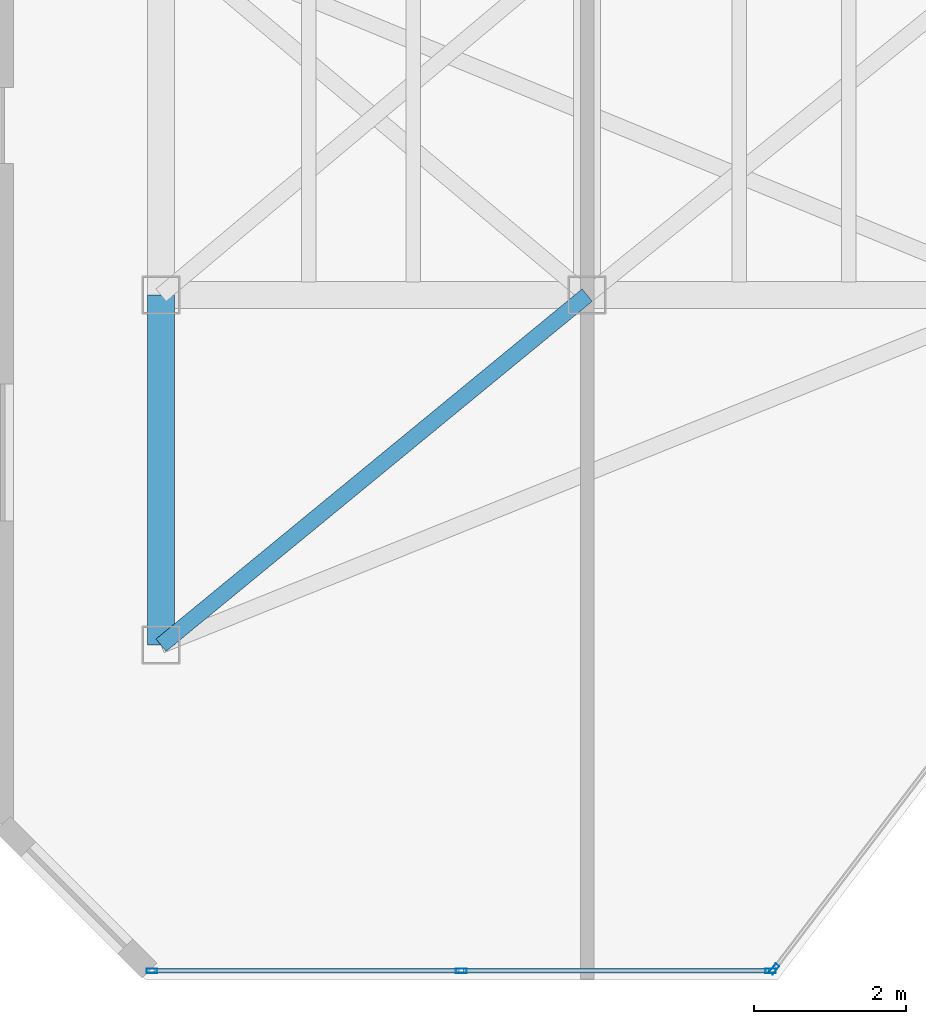
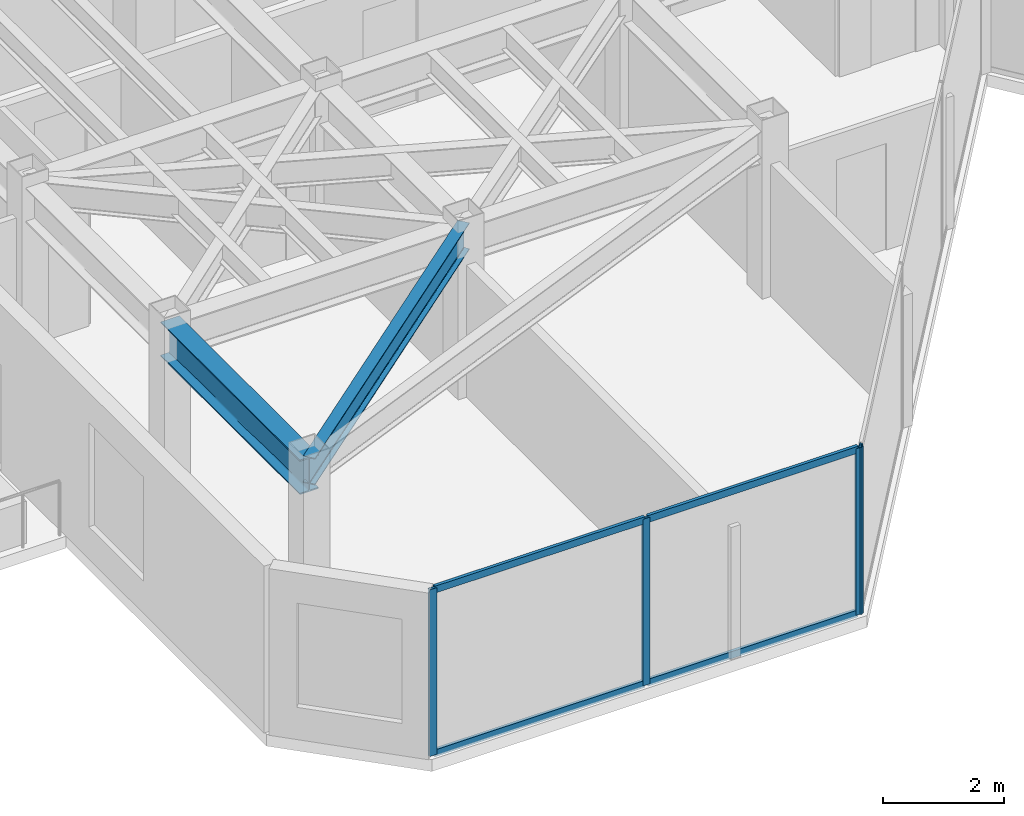
# One storey, part 2 of 17: 8 members, 2 beams, 2 elements without a shape of their own.
"""IFC4 building model written with IfcOpenShell, lengths in metres."""

import ifcopenshell
import ifcopenshell.guid

model = None  # the IFC model being written
_history = None  # IfcOwnerHistory: only IFC2X3 demands one
_inside = {}  # id of a spatial element -> (the spatial element, [elements in it])
_under = {}  # id of a project, library or spatial element -> (it, [spatial elements below it])
_declared = {}  # id of a project -> (the project, [libraries it declares])
_typed = {}  # id of a type object -> (the type object, [elements of that type])
_made_of = {}  # id of a material, layer set ... -> (it, [elements and type objects made of it])


def new_model(schema):
    """Start an empty IFC model of exactly this schema.

    Asked for "IFC4X3", IfcOpenShell would pick the latest addendum, in which some entities
    have other attributes; the version numbers below select the first issue.
    IFC2X3 requires an IfcOwnerHistory on every rooted entity: one is made here for all.
    """
    global model, _history
    if schema == "IFC4X3":
        model = ifcopenshell.file(schema_version=(4, 3, 0, 0))
    else:
        model = ifcopenshell.file(schema=schema)
    _inside.clear()
    _under.clear()
    _declared.clear()
    _typed.clear()
    _made_of.clear()
    _history = None
    if model.schema == "IFC2X3":
        org = make("IfcOrganization", Name="unknown")
        user = make(
            "IfcPersonAndOrganization",
            ThePerson=make("IfcPerson", FamilyName="unknown"),
            TheOrganization=org,
        )
        app = make(
            "IfcApplication",
            ApplicationDeveloper=org,
            Version="unknown",
            ApplicationFullName="unknown",
            ApplicationIdentifier="unknown",
        )
        _history = make(
            "IfcOwnerHistory",
            OwningUser=user,
            OwningApplication=app,
            ChangeAction="ADDED",
            CreationDate=0,
        )
    return model


def make(cls, **values):
    """One entity of the class cls with the attributes given. An attribute that is None is left unset."""
    return model.create_entity(
        cls, **{name: value for name, value in values.items() if value is not None}
    )


def rooted(cls, **values):
    """An entity with a GlobalId (a new one), such as an element, a storey or a relation."""
    return make(cls, GlobalId=ifcopenshell.guid.new(), OwnerHistory=_history, **values)


def si_unit(unit_type, name, prefix=None):
    """IfcSIUnit, for example si_unit("LENGTHUNIT", "METRE", prefix="MILLI")."""
    return make("IfcSIUnit", UnitType=unit_type, Prefix=prefix, Name=name)


def assignment(units):
    """IfcUnitAssignment: the units of a project."""
    return None if units is None else make("IfcUnitAssignment", Units=units)


def point(xyz):
    """IfcCartesianPoint."""
    return None if xyz is None else make("IfcCartesianPoint", Coordinates=xyz)


def direction(xyz):
    """IfcDirection."""
    return None if xyz is None else make("IfcDirection", DirectionRatios=xyz)


def frame(location, z_axis=None, x_axis=None):
    """IfcAxis2Placement3D, a coordinate frame: its origin and axes. An axis left out is left unset."""
    return make(
        "IfcAxis2Placement3D",
        Location=point(location),
        Axis=direction(z_axis),
        RefDirection=direction(x_axis),
    )


def frame_2d(location, x_axis=None):
    """IfcAxis2Placement2D, a coordinate frame in the plane: its origin and x axis."""
    return make(
        "IfcAxis2Placement2D", Location=point(location), RefDirection=direction(x_axis)
    )


def origin():
    """The frame at (0, 0, 0) with its axes left unset."""
    return frame((0.0, 0.0, 0.0))


def origin_2d():
    """The frame at (0, 0) in the plane with its x axis left unset."""
    return frame_2d((0.0, 0.0))


def place(relative_to, where):
    """IfcLocalPlacement: puts the frame where relative to a parent placement (None: the world)."""
    return make(
        "IfcLocalPlacement", PlacementRelTo=relative_to, RelativePlacement=where
    )


def context(
    kind, dimensions, precision=None, world=None, true_north=None, identifier=None
):
    """IfcGeometricRepresentationContext, for example the 3D "Model" context."""
    return make(
        "IfcGeometricRepresentationContext",
        ContextIdentifier=identifier,
        ContextType=kind,
        CoordinateSpaceDimension=dimensions,
        Precision=precision,
        WorldCoordinateSystem=world,
        TrueNorth=true_north,
    )


def subcontext(parent, identifier, kind, view, scale=None):
    """IfcGeometricRepresentationSubContext, for example "Body" below "Model"."""
    return make(
        "IfcGeometricRepresentationSubContext",
        ContextIdentifier=identifier,
        ContextType=kind,
        ParentContext=parent,
        TargetScale=scale,
        TargetView=view,
    )


def project(units=None, contexts=None):
    """IfcProject with its units and contexts."""
    return rooted(
        "IfcProject",
        Name="project",
        RepresentationContexts=contexts,
        UnitsInContext=assignment(units),
    )


def spatial(cls, under=None, at=None, **own):
    """A site, building, storey or space (cls), placed at a placement, below another one or the project."""
    s = rooted(cls, ObjectPlacement=at, **own)
    if under is not None:
        _under.setdefault(under.id(), (under, []))[1].append(s)
    return s


def profile(cls, at=None, kind="AREA", **sizes):
    """A parametric profile (cls). Its sizes go by their IFC names, for example OverallWidth=200.0."""
    return make(cls, ProfileType=kind, Position=at, **sizes)


def hollow_rectangle(**sizes):
    """IfcRectangleHollowProfileDef."""
    return profile("IfcRectangleHollowProfileDef", **sizes)


def i_section(**sizes):
    """IfcIShapeProfileDef."""
    return profile("IfcIShapeProfileDef", **sizes)


def extrude(swept, where, along, depth):
    """IfcExtrudedAreaSolid: the profile swept, set in the frame where, extruded along a direction by depth."""
    return make(
        "IfcExtrudedAreaSolid",
        SweptArea=swept,
        Position=where,
        ExtrudedDirection=direction(along),
        Depth=depth,
    )


def shape(context_of_items, identifier, shape_type, items):
    """IfcShapeRepresentation: the items that make up one representation, for example the "Body"."""
    return make(
        "IfcShapeRepresentation",
        ContextOfItems=context_of_items,
        RepresentationIdentifier=identifier,
        RepresentationType=shape_type,
        Items=items,
    )


def material(Name=None, Category=None):
    """IfcMaterial."""
    return make("IfcMaterial", Name=Name, Category=Category)


def layer(
    of_material, thickness, ventilated=None, Name=None, Category=None, Priority=None
):
    """IfcMaterialLayer: one layer of a wall or slab, of a material (None: an air gap)."""
    return make(
        "IfcMaterialLayer",
        Material=of_material,
        LayerThickness=thickness,
        IsVentilated=ventilated,
        Name=Name,
        Category=Category,
        Priority=Priority,
    )


def layer_set(layers, Name=None):
    """IfcMaterialLayerSet."""
    return make("IfcMaterialLayerSet", MaterialLayers=layers, LayerSetName=Name)


def material_profile(
    of_material, cross_section, Name=None, Category=None, Priority=None
):
    """IfcMaterialProfile: a cross section and its material."""
    return make(
        "IfcMaterialProfile",
        Name=Name,
        Material=of_material,
        Profile=cross_section,
        Priority=Priority,
        Category=Category,
    )


def profile_set(profiles, Name=None, composite=None):
    """IfcMaterialProfileSet."""
    return make(
        "IfcMaterialProfileSet",
        Name=Name,
        MaterialProfiles=profiles,
        CompositeProfile=composite,
    )


def made_of(thing, what):
    """Note that an element or type object is made of a material, layer set ...; save() writes the relation."""
    if what is not None:
        _made_of.setdefault(what.id(), (what, []))[1].append(thing)
    return thing


def type_object(cls, material=None, **own):
    """A type object (cls), such as IfcWallType, which elements share."""
    return made_of(rooted(cls, **own), material)


def element(
    cls,
    number,
    at=None,
    inside=None,
    cuts=None,
    type_object=None,
    material=None,
    context=None,
    identifier="Body",
    shape_type=None,
    held_by="IfcProductDefinitionShape",
    body=None,
    shapes=None,
    **own,
):
    """One element of the class cls, such as IfcWall. Its Tag is "e" and its number.

    at: its placement. inside: the storey or other place that contains it. cuts: it is an
    opening in that element (IfcRelVoidsElement). A single representation is given by context,
    identifier, shape_type and body (its items); several are given by shapes. held_by: the class
    of the entity that holds the representations. save() writes the other relations.
    """
    e = rooted(cls, Tag="e%d" % number, ObjectPlacement=at, **own)
    if body is not None:
        shapes = [shape(context, identifier, shape_type, body)]
    if shapes is not None:
        e.Representation = make(held_by, Representations=shapes)
    if inside is not None:
        _inside.setdefault(inside.id(), (inside, []))[1].append(e)
    if cuts is not None:
        rooted(
            "IfcRelVoidsElement", RelatingBuildingElement=cuts, RelatedOpeningElement=e
        )
    if type_object is not None:
        _typed.setdefault(type_object.id(), (type_object, []))[1].append(e)
    return made_of(e, material)


def aggregate(whole, parts):
    """IfcRelAggregates: a whole, such as a stair, and the parts it consists of."""
    return rooted("IfcRelAggregates", RelatingObject=whole, RelatedObjects=parts)


def save(model, path):
    """Write the relations noted so far, then the file.

    IfcRelAggregates (storeys below a building ...), IfcRelContainedInSpatialStructure (elements
    in a storey), IfcRelDefinesByType, IfcRelAssociatesMaterial and IfcRelDeclares: one each for
    every whole, place, type object, material and project.
    """
    for whole, parts in _under.values():
        aggregate(whole, parts)
    for where, things in _inside.values():
        rooted(
            "IfcRelContainedInSpatialStructure",
            RelatedElements=things,
            RelatingStructure=where,
        )
    for kind, things in _typed.values():
        rooted("IfcRelDefinesByType", RelatedObjects=things, RelatingType=kind)
    for what, things in _made_of.values():
        rooted("IfcRelAssociatesMaterial", RelatedObjects=things, RelatingMaterial=what)
    for by, libraries in _declared.values():
        rooted("IfcRelDeclares", RelatingContext=by, RelatedDefinitions=libraries)
    model.write(path)


model = new_model("IFC4")

# Units and contexts
model_context = context("Model", 3, precision=1e-05, world=origin(), true_north=direction((0.0, 1.0)))
body_context = subcontext(model_context, "Body", "Model", "MODEL_VIEW")
ifc_project = project(units=[si_unit("LENGTHUNIT", "METRE"), si_unit("AREAUNIT", "SQUARE_METRE"), si_unit("VOLUMEUNIT", "CUBIC_METRE"), si_unit("PLANEANGLEUNIT", "RADIAN"), si_unit("MASSUNIT", "GRAM", prefix="KILO")], contexts=[model_context])

# Site, building, storey
site_placement = place(None, origin())
site = spatial("IfcSite", under=ifc_project, at=site_placement, CompositionType="ELEMENT")
building_placement = place(site_placement, origin())
building = spatial("IfcBuilding", under=site, at=building_placement, Name="Kravanh Interchange Tower", CompositionType="ELEMENT")
storey_placement = place(building_placement, frame((0.0, 0.0, 249.0)))
storey = spatial("IfcBuildingStorey", under=building, at=storey_placement, Name="L60", CompositionType="ELEMENT", Elevation=249.0)

# Curtain wall, member
ifc_material_1 = material(Name="Anodised Bronze Aluminium", Category="aluminium")
ifc_layer = layer(ifc_material_1, 0.179931640625)
ifc_layer_set = layer_set([ifc_layer], Name="Unitised Curtain Wall System CW-HTL Luxury Hotel")
curtain_wall_type = type_object("IfcCurtainWallType", Name="Unitised Curtain Wall System CW-HTL Luxury Hotel", PredefinedType="NOTDEFINED", material=ifc_layer_set)
curtain_wall_1_placement = place(storey_placement, origin())
curtain_wall_1 = element("IfcCurtainWall", 1, at=curtain_wall_1_placement, inside=storey, type_object=curtain_wall_type, Name="L60 Unitised Curtain Wall CW-L60-04", PredefinedType="NOTDEFINED")
ifc_material_2 = material(Name="Anodised Bronze Aluminium", Category="aluminium")
ifc_material_profile_1 = material_profile(ifc_material_2, hollow_rectangle(XDim=0.06005859375, YDim=0.139892578125, WallThickness=0.00390625, at=origin_2d()), Name="ALU60X140X4")
ifc_profile_set_1 = profile_set([ifc_material_profile_1], Name="Anodised Bronze Aluminium")
member_type_1 = type_object("IfcMemberType", Name="Curtain Wall Mullion ALU60X140X4 Bronze", PredefinedType="MULLION", material=ifc_profile_set_1)
member_1_placement = place(storey_placement, frame((35.258544921875, 17.94384765625, 0.0), z_axis=(0.0, 0.0, 1.0), x_axis=(0.79616243806, -0.605082946564, 0.0)))
member_1 = element("IfcMember", 2, at=member_1_placement, type_object=member_type_1, Name="CW-HTL mullion 4", PredefinedType="MULLION", context=body_context, shape_type="SweptSolid", body=[
    extrude(hollow_rectangle(XDim=0.06005859375, YDim=0.139892578125, WallThickness=0.00390625, at=origin_2d()), origin(), (0.0, 0.0, 1.0), 3.360107421875),
])
aggregate(curtain_wall_1, [member_1])

# Curtain wall, members
curtain_wall_2_placement = place(storey_placement, origin())
curtain_wall_2 = element("IfcCurtainWall", 3, at=curtain_wall_2_placement, inside=storey, type_object=curtain_wall_type, Name="L60 Unitised Curtain Wall CW-L60-05", PredefinedType="NOTDEFINED")
member_2_placement = place(storey_placement, frame((35.21044921875, 17.919921875, 0.0), z_axis=(0.0, 0.0, 1.0), x_axis=(0.0, -1.0, 0.0)))
member_2 = element("IfcMember", 4, at=member_2_placement, type_object=member_type_1, Name="CW-HTL mullion 1", PredefinedType="MULLION", context=body_context, shape_type="SweptSolid", body=[
    extrude(hollow_rectangle(XDim=0.06005859375, YDim=0.139892578125, WallThickness=0.00390625, at=origin_2d()), origin(), (0.0, 0.0, 1.0), 3.360107421875),
])
member_3_placement = place(storey_placement, frame((31.14501953125, 17.919921875, 0.0), z_axis=(0.0, 0.0, 1.0), x_axis=(0.0, -1.0, 0.0)))
member_3 = element("IfcMember", 5, at=member_3_placement, type_object=member_type_1, Name="CW-HTL mullion 2", PredefinedType="MULLION", context=body_context, shape_type="SweptSolid", body=[
    extrude(hollow_rectangle(XDim=0.06005859375, YDim=0.139892578125, WallThickness=0.00390625, at=origin_2d()), origin(), (0.0, 0.0, 1.0), 3.360107421875),
])
member_4_placement = place(storey_placement, frame((27.07958984375, 17.919921875, 0.0), z_axis=(0.0, 0.0, 1.0), x_axis=(0.0, -1.0, 0.0)))
member_4 = element("IfcMember", 6, at=member_4_placement, type_object=member_type_1, Name="CW-HTL mullion 3", PredefinedType="MULLION", context=body_context, shape_type="SweptSolid", body=[
    extrude(hollow_rectangle(XDim=0.06005859375, YDim=0.139892578125, WallThickness=0.00390625, at=origin_2d()), origin(), (0.0, 0.0, 1.0), 3.360107421875),
])
ifc_material_3 = material(Name="Anodised Bronze Aluminium", Category="aluminium")
ifc_material_profile_2 = material_profile(ifc_material_3, hollow_rectangle(XDim=0.06005859375, YDim=0.139892578125, WallThickness=0.00390625, at=origin_2d()), Name="ALU60X140X4")
ifc_profile_set_2 = profile_set([ifc_material_profile_2], Name="Anodised Bronze Aluminium")
member_type_2 = type_object("IfcMemberType", Name="Curtain Wall Transom ALU60X140X4 Bronze", PredefinedType="USERDEFINED", material=ifc_profile_set_2)
member_5_placement = place(storey_placement, frame((35.180419921875, 17.919921875, 0.030029296875), z_axis=(-1.0, 0.0, 0.0), x_axis=(0.0, -1.0, 0.0)))
member_5 = element("IfcMember", 7, at=member_5_placement, type_object=member_type_2, Name="CW-HTL transom 1.1", ObjectType="TRANSOM", PredefinedType="USERDEFINED", context=body_context, shape_type="SweptSolid", body=[
    extrude(hollow_rectangle(XDim=0.06005859375, YDim=0.139892578125, WallThickness=0.00390625, at=origin_2d()), origin(), (0.0, 0.0, 1.0), 4.00537109375),
])
member_6_placement = place(storey_placement, frame((35.180419921875, 17.919921875, 3.330078125), z_axis=(-1.0, 0.0, 0.0), x_axis=(0.0, -1.0, 0.0)))
member_6 = element("IfcMember", 8, at=member_6_placement, type_object=member_type_2, Name="CW-HTL transom 1.2", ObjectType="TRANSOM", PredefinedType="USERDEFINED", context=body_context, shape_type="SweptSolid", body=[
    extrude(hollow_rectangle(XDim=0.06005859375, YDim=0.139892578125, WallThickness=0.00390625, at=origin_2d()), origin(), (0.0, 0.0, 1.0), 4.00537109375),
])
member_7_placement = place(storey_placement, frame((31.114990234375, 17.919921875, 0.030029296875), z_axis=(-1.0, 0.0, 0.0), x_axis=(0.0, -1.0, 0.0)))
member_7 = element("IfcMember", 9, at=member_7_placement, type_object=member_type_2, Name="CW-HTL transom 2.1", ObjectType="TRANSOM", PredefinedType="USERDEFINED", context=body_context, shape_type="SweptSolid", body=[
    extrude(hollow_rectangle(XDim=0.06005859375, YDim=0.139892578125, WallThickness=0.00390625, at=origin_2d()), origin(), (0.0, 0.0, 1.0), 4.00537109375),
])
member_8_placement = place(storey_placement, frame((31.114990234375, 17.919921875, 3.330078125), z_axis=(-1.0, 0.0, 0.0), x_axis=(0.0, -1.0, 0.0)))
member_8 = element("IfcMember", 10, at=member_8_placement, type_object=member_type_2, Name="CW-HTL transom 2.2", ObjectType="TRANSOM", PredefinedType="USERDEFINED", context=body_context, shape_type="SweptSolid", body=[
    extrude(hollow_rectangle(XDim=0.06005859375, YDim=0.139892578125, WallThickness=0.00390625, at=origin_2d()), origin(), (0.0, 0.0, 1.0), 4.00537109375),
])
aggregate(curtain_wall_2, [member_2, member_3, member_4, member_5, member_6, member_7, member_8])

# Beams
ifc_material_4 = material(Name="Structural Steel S355", Category="steel")
ifc_material_profile_3 = material_profile(ifc_material_4, i_section(OverallWidth=0.35498046875, OverallDepth=0.696044921875, WebThickness=0.015380859375, FlangeThickness=0.02490234375, FilletRadius=0.02392578125, at=origin_2d()), Name="W27X146")
ifc_profile_set_3 = profile_set([ifc_material_profile_3], Name="Structural Steel S355")
beam_type_1 = type_object("IfcBeamType", Name="Floor Beam W27X146 Structural Steel S355", PredefinedType="BEAM", material=ifc_profile_set_3)
beam_1_placement = place(storey_placement, frame((27.199951171875, 22.199951171875, 3.011962890625), z_axis=(0.0, 1.0, 0.0), x_axis=(-1.0, 0.0, 0.0)))
element("IfcBeam", 11, at=beam_1_placement, inside=storey, type_object=beam_type_1, Name="L60 Primary Floor Girder 40", PredefinedType="BEAM", context=body_context, shape_type="SweptSolid", body=[
    extrude(i_section(OverallWidth=0.35498046875, OverallDepth=0.696044921875, WebThickness=0.015380859375, FlangeThickness=0.02490234375, FilletRadius=0.02392578125, at=origin_2d()), origin(), (0.0, 0.0, 1.0), 4.60009765625),
])
ifc_material_5 = material(Name="Structural Steel S355", Category="steel")
ifc_material_profile_4 = material_profile(ifc_material_5, i_section(OverallWidth=0.2099609375, OverallDepth=0.537109375, WebThickness=0.010986328125, FlangeThickness=0.017333984375, FilletRadius=0.02001953125, at=origin_2d()), Name="W21X68")
ifc_profile_set_4 = profile_set([ifc_material_profile_4], Name="Structural Steel S355")
beam_type_2 = type_object("IfcBeamType", Name="Floor Spandrel W21X68 Structural Steel S355", PredefinedType="SPANDREL", material=ifc_profile_set_4)
beam_2_placement = place(storey_placement, frame((27.199951171875, 22.199951171875, 3.091552734375), z_axis=(0.772725074305, 0.634740860147, 0.0), x_axis=(-0.634740860147, 0.772725074305, 0.0)))
element("IfcBeam", 12, at=beam_2_placement, inside=storey, type_object=beam_type_2, Name="L60 Perimeter Spandrel 41", PredefinedType="SPANDREL", context=body_context, shape_type="SweptSolid", body=[
    extrude(i_section(OverallWidth=0.2099609375, OverallDepth=0.537109375, WebThickness=0.010986328125, FlangeThickness=0.017333984375, FilletRadius=0.02001953125, at=origin_2d()), origin(), (0.0, 0.0, 1.0), 7.247314453125),
])

save(model, "model.ifc")
